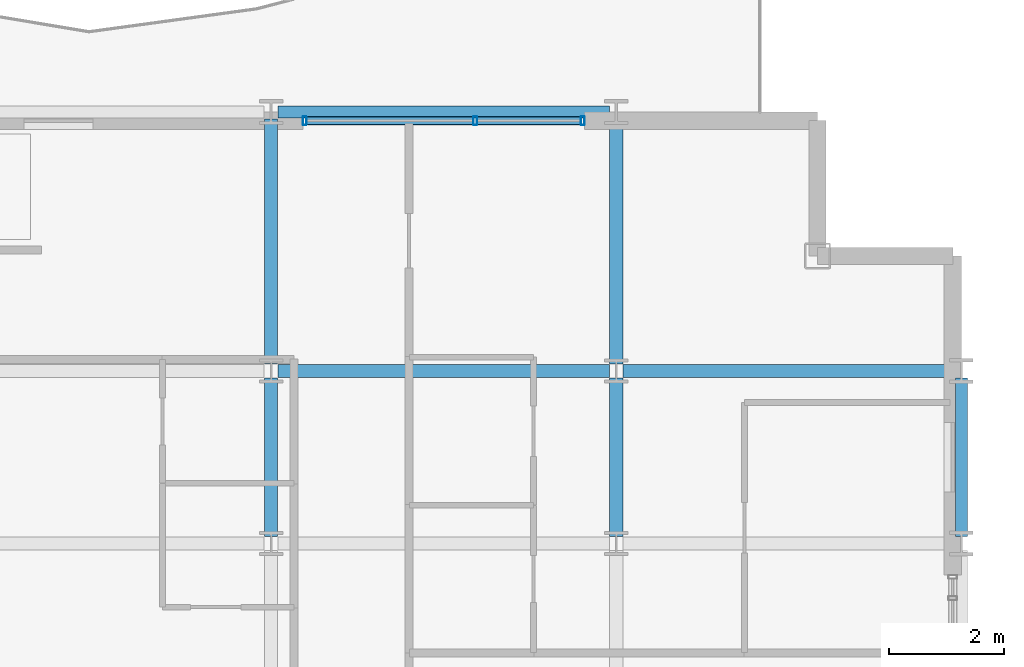
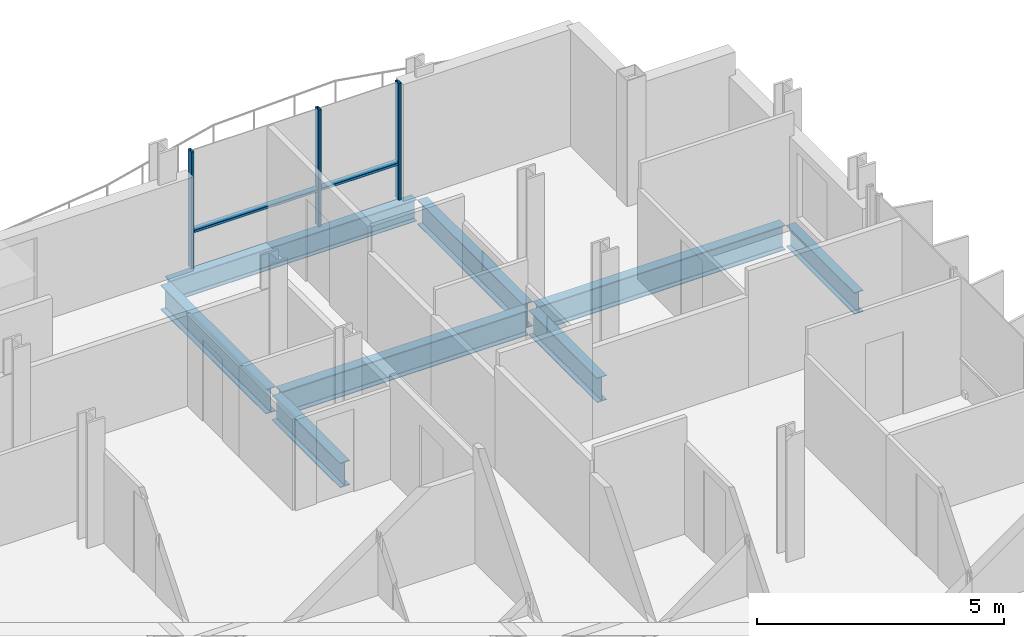
# One storey, part 20 of 38: 8 beams, 5 members, 1 element without a shape of its own.
"""IFC4 building model written with IfcOpenShell, lengths in metres."""

from ifc_helpers import new_model, si_unit, direction, frame, origin, origin_2d, place, context, subcontext, project, spatial, hollow_rectangle, i_section, extrude, material, layer, layer_set, material_profile, profile_set, type_object, element, aggregate, save


model = new_model("IFC4")

# Units and contexts
model_context = context("Model", 3, precision=1e-05, world=origin(), true_north=direction((0.0, 1.0)))
body_context = subcontext(model_context, "Body", "Model", "MODEL_VIEW")
ifc_project = project(units=[si_unit("LENGTHUNIT", "METRE"), si_unit("AREAUNIT", "SQUARE_METRE"), si_unit("VOLUMEUNIT", "CUBIC_METRE"), si_unit("PLANEANGLEUNIT", "RADIAN"), si_unit("MASSUNIT", "GRAM", prefix="KILO")], contexts=[model_context])

# Site, building, storey
site_placement = place(None, origin())
site = spatial("IfcSite", under=ifc_project, at=site_placement, CompositionType="ELEMENT")
building_placement = place(site_placement, origin())
building = spatial("IfcBuilding", under=site, at=building_placement, Name="Brevholm Reach", CompositionType="ELEMENT")
storey_placement = place(building_placement, frame((0.0, 0.0, 128.300048828125)))
storey = spatial("IfcBuildingStorey", under=building, at=storey_placement, Name="L38", CompositionType="ELEMENT", Elevation=128.300048828125)

# Beams
ifc_material_1 = material(Name="Structural Steel S355J2", Category="steel")
ifc_material_profile_1 = material_profile(ifc_material_1, i_section(OverallWidth=0.209228515625, OverallDepth=0.533203125, WebThickness=0.010009765625, FlangeThickness=0.015625, FilletRadius=0.0126953125, at=origin_2d()), Name="UKB 533x210x92")
ifc_profile_set_1 = profile_set([ifc_material_profile_1], Name="Structural Steel S355J2")
beam_type_1 = type_object("IfcBeamType", Name="BM-SP533", PredefinedType="SPANDREL", material=ifc_profile_set_1)
beam_1_placement = place(storey_placement, frame((48.1201171875, 31.0, -0.486572265625), z_axis=(1.0, 0.0, 0.0), x_axis=(0.0, 1.0, 0.0)))
element("IfcBeam", 1, at=beam_1_placement, inside=storey, type_object=beam_type_1, Name="L38 SP-02 Framing Beam", PredefinedType="SPANDREL", context=body_context, shape_type="SweptSolid", body=[
    extrude(i_section(OverallWidth=0.209228515625, OverallDepth=0.533203125, WebThickness=0.010009765625, FlangeThickness=0.015625, FilletRadius=0.0126953125, at=origin_2d()), origin(), (0.0, 0.0, 1.0), 5.759765625),
])
beam_2_placement = place(storey_placement, frame((60.0, 23.6201171875, -0.486572265625), z_axis=(0.0, 1.0, 0.0), x_axis=(-1.0, 0.0, 0.0)))
element("IfcBeam", 2, at=beam_2_placement, inside=storey, type_object=beam_type_1, Name="L38 SP-02 Framing Beam", PredefinedType="SPANDREL", context=body_context, shape_type="SweptSolid", body=[
    extrude(i_section(OverallWidth=0.209228515625, OverallDepth=0.533203125, WebThickness=0.010009765625, FlangeThickness=0.015625, FilletRadius=0.0126953125, at=origin_2d()), origin(), (0.0, 0.0, 1.0), 2.759765625),
])
ifc_material_2 = material(Name="Structural Steel S355J2", Category="steel")
ifc_material_profile_2 = material_profile(ifc_material_2, i_section(OverallWidth=0.22900390625, OverallDepth=0.6123046875, WebThickness=0.011962890625, FlangeThickness=0.01953125, FilletRadius=0.0126953125, at=origin_2d()), Name="UKB 610x229x125")
ifc_profile_set_2 = profile_set([ifc_material_profile_2], Name="Structural Steel S355J2")
beam_type_2 = type_object("IfcBeamType", Name="BM-SP610", PredefinedType="SPANDREL", material=ifc_profile_set_2)
for number, where, z_axis, x_axis, name in (
    (3, (48.1201171875, 26.5, -0.526123046875), (1.0, 0.0, 0.0), (0.0, 1.0, 0.0), "L38 SP-01 Framing Beam"),
    (4, (54.1201171875, 26.5, -0.526123046875), (1.0, 0.0, 0.0), (0.0, 1.0, 0.0), "L38 SP-01 Framing Beam"),
):
    element("IfcBeam", number, at=place(storey_placement, frame(where, z_axis=z_axis, x_axis=x_axis)), inside=storey, type_object=beam_type_2, Name=name, PredefinedType="SPANDREL", context=body_context, shape_type="SweptSolid", body=[
        extrude(i_section(OverallWidth=0.22900390625, OverallDepth=0.6123046875, WebThickness=0.011962890625, FlangeThickness=0.01953125, FilletRadius=0.0126953125, at=origin_2d()), origin(), (0.0, 0.0, 1.0), 5.759765625),
    ])
beam_3_placement = place(storey_placement, frame((48.0, 23.6201171875, -0.526123046875), z_axis=(0.0, 1.0, 0.0), x_axis=(-1.0, 0.0, 0.0)))
element("IfcBeam", 5, at=beam_3_placement, inside=storey, type_object=beam_type_2, Name="L38 SP-01 Framing Beam", PredefinedType="SPANDREL", context=body_context, shape_type="SweptSolid", body=[
    extrude(i_section(OverallWidth=0.22900390625, OverallDepth=0.6123046875, WebThickness=0.011962890625, FlangeThickness=0.01953125, FilletRadius=0.0126953125, at=origin_2d()), origin(), (0.0, 0.0, 1.0), 2.759765625),
])
beam_4_placement = place(storey_placement, frame((48.0, 26.6201171875, -0.526123046875), z_axis=(0.0, 1.0, 0.0), x_axis=(-1.0, 0.0, 0.0)))
element("IfcBeam", 6, at=beam_4_placement, inside=storey, type_object=beam_type_2, Name="L38 SP-01 Framing Beam", PredefinedType="SPANDREL", context=body_context, shape_type="SweptSolid", body=[
    extrude(i_section(OverallWidth=0.22900390625, OverallDepth=0.6123046875, WebThickness=0.011962890625, FlangeThickness=0.01953125, FilletRadius=0.0126953125, at=origin_2d()), origin(), (0.0, 0.0, 1.0), 4.259765625),
])
beam_5_placement = place(storey_placement, frame((54.0, 23.6201171875, -0.526123046875), z_axis=(0.0, 1.0, 0.0), x_axis=(-1.0, 0.0, 0.0)))
element("IfcBeam", 7, at=beam_5_placement, inside=storey, type_object=beam_type_2, Name="L38 SP-01 Framing Beam", PredefinedType="SPANDREL", context=body_context, shape_type="SweptSolid", body=[
    extrude(i_section(OverallWidth=0.22900390625, OverallDepth=0.6123046875, WebThickness=0.011962890625, FlangeThickness=0.01953125, FilletRadius=0.0126953125, at=origin_2d()), origin(), (0.0, 0.0, 1.0), 2.759765625),
])
beam_6_placement = place(storey_placement, frame((54.0, 26.6201171875, -0.526123046875), z_axis=(0.0, 1.0, 0.0), x_axis=(-1.0, 0.0, 0.0)))
element("IfcBeam", 8, at=beam_6_placement, inside=storey, type_object=beam_type_2, Name="L38 SP-01 Framing Beam", PredefinedType="SPANDREL", context=body_context, shape_type="SweptSolid", body=[
    extrude(i_section(OverallWidth=0.22900390625, OverallDepth=0.6123046875, WebThickness=0.011962890625, FlangeThickness=0.01953125, FilletRadius=0.0126953125, at=origin_2d()), origin(), (0.0, 0.0, 1.0), 4.259765625),
])

# Curtain wall, members
ifc_material_3 = material(Name="Dark Anodised Aluminium 6063-T6 and Solar-Control Glass", Category="aluminium")
ifc_layer = layer(ifc_material_3, 0.14990234375)
ifc_layer_set = layer_set([ifc_layer], Name="Dark Anodised Aluminium 6063-T6 and Solar-Control Glass")
curtain_wall_type = type_object("IfcCurtainWallType", Name="CW-01", PredefinedType="NOTDEFINED", material=ifc_layer_set)
curtain_wall_placement = place(storey_placement, origin())
curtain_wall = element("IfcCurtainWall", 9, at=curtain_wall_placement, inside=storey, type_object=curtain_wall_type, Name="L38 Curtain Wall CW-01", PredefinedType="NOTDEFINED")
ifc_material_4 = material(Name="Dark Anodised Aluminium 6063-T6", Category="aluminium")
ifc_material_profile_3 = material_profile(ifc_material_4, hollow_rectangle(XDim=0.06494140625, YDim=0.14990234375, WallThickness=0.0048828125, InnerFilletRadius=0.0048828125, OuterFilletRadius=0.010009765625, at=origin_2d()), Name="RHS 150x65x5")
ifc_profile_set_3 = profile_set([ifc_material_profile_3], Name="Dark Anodised Aluminium 6063-T6")
member_type_1 = type_object("IfcMemberType", Name="CWM-150", PredefinedType="MULLION", material=ifc_profile_set_3)
member_1_placement = place(storey_placement, frame((48.58251953125, 30.85009765625, 0.0), z_axis=(0.0, 0.0, 1.0), x_axis=(1.0, 0.0, 0.0)))
member_1 = element("IfcMember", 10, at=member_1_placement, type_object=member_type_1, Name="CM-150 Mullion 1", PredefinedType="MULLION", context=body_context, shape_type="SweptSolid", body=[
    extrude(hollow_rectangle(XDim=0.06494140625, YDim=0.14990234375, WallThickness=0.0048828125, InnerFilletRadius=0.0048828125, OuterFilletRadius=0.010009765625, at=origin_2d()), origin(), (0.0, 0.0, 1.0), 2.8798828125),
])
member_2_placement = place(storey_placement, frame((51.550048828125, 30.85009765625, 0.0), z_axis=(0.0, 0.0, 1.0), x_axis=(1.0, 0.0, 0.0)))
member_2 = element("IfcMember", 11, at=member_2_placement, type_object=member_type_1, Name="CM-150 Mullion 2", PredefinedType="MULLION", context=body_context, shape_type="SweptSolid", body=[
    extrude(hollow_rectangle(XDim=0.06494140625, YDim=0.14990234375, WallThickness=0.0048828125, InnerFilletRadius=0.0048828125, OuterFilletRadius=0.010009765625, at=origin_2d()), origin(), (0.0, 0.0, 1.0), 2.8798828125),
])
member_3_placement = place(storey_placement, frame((53.41748046875, 30.85009765625, 0.0), z_axis=(0.0, 0.0, 1.0), x_axis=(1.0, 0.0, 0.0)))
member_3 = element("IfcMember", 12, at=member_3_placement, type_object=member_type_1, Name="CM-150 Mullion 3", PredefinedType="MULLION", context=body_context, shape_type="SweptSolid", body=[
    extrude(hollow_rectangle(XDim=0.06494140625, YDim=0.14990234375, WallThickness=0.0048828125, InnerFilletRadius=0.0048828125, OuterFilletRadius=0.010009765625, at=origin_2d()), origin(), (0.0, 0.0, 1.0), 2.8798828125),
])
ifc_material_5 = material(Name="Dark Anodised Aluminium 6063-T6", Category="aluminium")
ifc_material_profile_4 = material_profile(ifc_material_5, hollow_rectangle(XDim=0.06494140625, YDim=0.14990234375, WallThickness=0.0048828125, InnerFilletRadius=0.0048828125, OuterFilletRadius=0.010009765625, at=origin_2d()), Name="RHS 150x65x5")
ifc_profile_set_4 = profile_set([ifc_material_profile_4], Name="Dark Anodised Aluminium 6063-T6")
member_type_2 = type_object("IfcMemberType", Name="CWT-150", PredefinedType="NOTDEFINED", material=ifc_profile_set_4)
member_4_placement = place(storey_placement, frame((48.614990234375, 30.85009765625, 0.89990234375), z_axis=(1.0, 0.0, 0.0), x_axis=(0.0, 0.0, 1.0)))
member_4 = element("IfcMember", 13, at=member_4_placement, type_object=member_type_2, Name="CT-150 Transom 1.1", ObjectType="TRANSOM", PredefinedType="USERDEFINED", context=body_context, shape_type="SweptSolid", body=[
    extrude(hollow_rectangle(XDim=0.06494140625, YDim=0.14990234375, WallThickness=0.0048828125, InnerFilletRadius=0.0048828125, OuterFilletRadius=0.010009765625, at=origin_2d()), origin(), (0.0, 0.0, 1.0), 2.902587890625),
])
member_5_placement = place(storey_placement, frame((51.58251953125, 30.85009765625, 0.89990234375), z_axis=(1.0, 0.0, 0.0), x_axis=(0.0, 0.0, 1.0)))
member_5 = element("IfcMember", 14, at=member_5_placement, type_object=member_type_2, Name="CT-150 Transom 2.1", ObjectType="TRANSOM", PredefinedType="USERDEFINED", context=body_context, shape_type="SweptSolid", body=[
    extrude(hollow_rectangle(XDim=0.06494140625, YDim=0.14990234375, WallThickness=0.0048828125, InnerFilletRadius=0.0048828125, OuterFilletRadius=0.010009765625, at=origin_2d()), origin(), (0.0, 0.0, 1.0), 1.802490234375),
])
aggregate(curtain_wall, [member_1, member_2, member_3, member_4, member_5])

save(model, "model.ifc")
